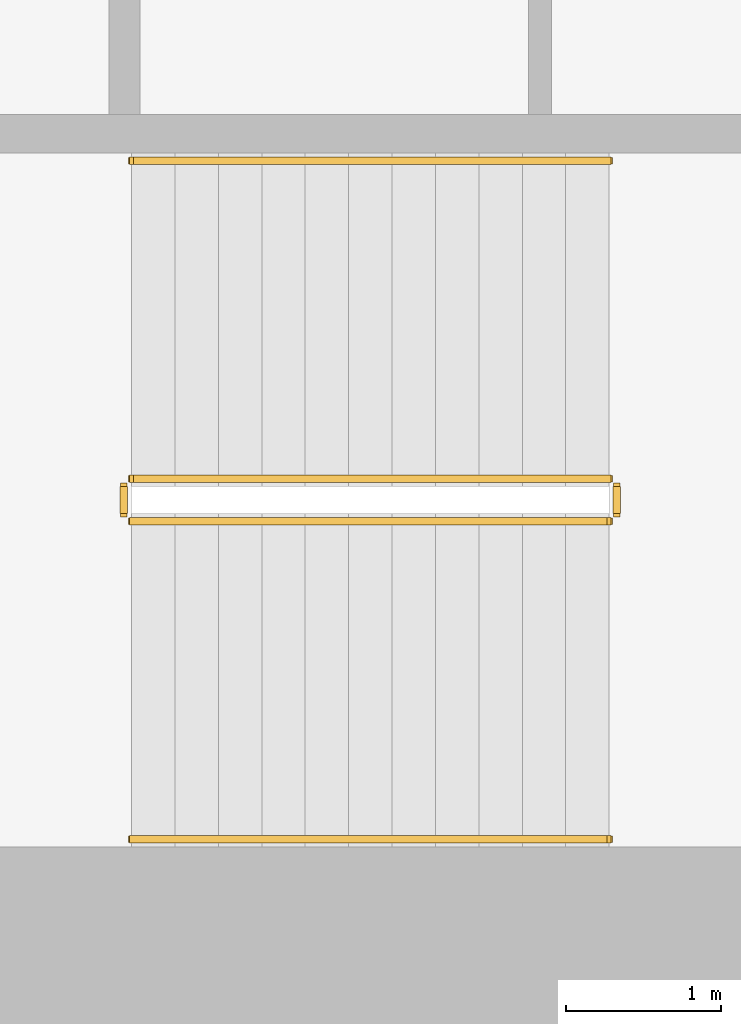
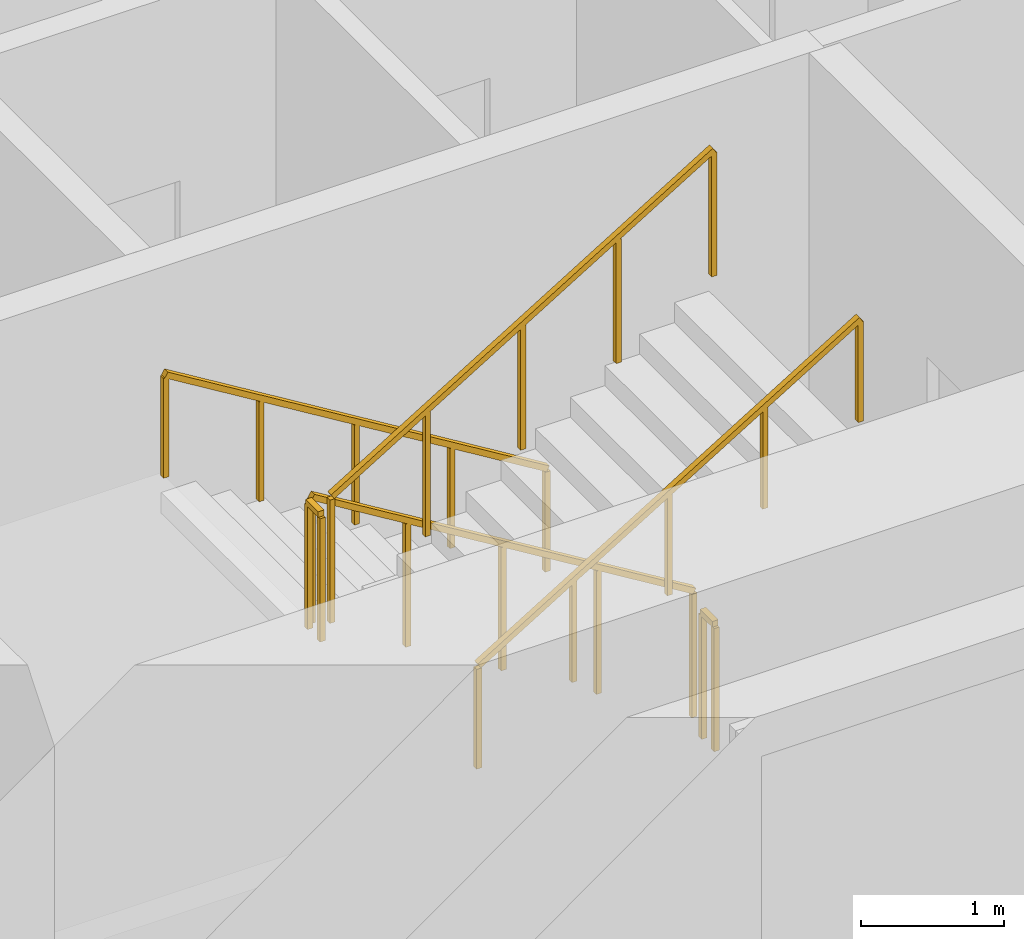
# One storey, part 9 of 13: 6 railings.
"""IFC4 building model written with IfcOpenShell, lengths in metres."""

from ifc_helpers import new_model, si_unit, direction, frame, origin, origin_2d, place, context, subcontext, project, spatial, rectangle, extrude, material, type_object, element, save


model = new_model("IFC4")

# Units and contexts
model_context = context("Model", 3, precision=1e-05, world=origin(), true_north=direction((0.0, 1.0)))
body_context = subcontext(model_context, "Body", "Model", "MODEL_VIEW")
ifc_project = project(units=[si_unit("LENGTHUNIT", "METRE"), si_unit("AREAUNIT", "SQUARE_METRE"), si_unit("VOLUMEUNIT", "CUBIC_METRE"), si_unit("PLANEANGLEUNIT", "RADIAN"), si_unit("MASSUNIT", "GRAM", prefix="KILO")], contexts=[model_context])

# Site, building, storey
site_placement = place(None, origin())
site = spatial("IfcSite", under=ifc_project, at=site_placement, CompositionType="ELEMENT")
building_placement = place(site_placement, origin())
building = spatial("IfcBuilding", under=site, at=building_placement, Name="Cypress Arch Tower", CompositionType="ELEMENT")
storey_placement = place(building_placement, frame((0.0, 0.0, 209.699951171875)))
storey = spatial("IfcBuildingStorey", under=building, at=storey_placement, Name="L46", CompositionType="ELEMENT", Elevation=209.699951171875)

# Railings
ifc_material_1 = material(Name="Black powder-coated steel square bar 48 mm", Category="steel")
railing_type_1 = type_object("IfcRailingType", Name="Stair handrail HR1", PredefinedType="HANDRAIL", material=ifc_material_1)
railing_1_placement = place(storey_placement, frame((-22.27490234375, -10.375, 0.1708984375)))
element("IfcRailing", 1, at=railing_1_placement, inside=storey, type_object=railing_type_1, Name="L46 A stair handrail 1", PredefinedType="HANDRAIL", context=body_context, shape_type="SweptSolid", body=[
    extrude(rectangle(XDim=0.048095703125, YDim=0.048095703125, at=origin_2d()), frame((0.0, 0.0, 0.8759765625), z_axis=(-0.853666305674, 0.0, 0.52082035152), x_axis=(0.0, -1.0, 0.0)), (0.0, 0.0, 1.0), 3.608154296875),
    extrude(rectangle(XDim=0.0419921875, YDim=0.0419921875, at=origin_2d()), origin(), (0.0, 0.0, 1.0), 0.851806640625),
    extrude(rectangle(XDim=0.0419921875, YDim=0.0419921875, at=origin_2d()), frame((-0.77001953125, 0.0, 0.4697265625)), (0.0, 0.0, 1.0), 0.851806640625),
    extrude(rectangle(XDim=0.0419921875, YDim=0.0419921875, at=origin_2d()), frame((-1.5400390625, 0.0, 0.939453125)), (0.0, 0.0, 1.0), 0.851806640625),
    extrude(rectangle(XDim=0.0419921875, YDim=0.0419921875, at=origin_2d()), frame((-2.31005859375, 0.0, 1.409423828125)), (0.0, 0.0, 1.0), 0.851806640625),
    extrude(rectangle(XDim=0.0419921875, YDim=0.0419921875, at=origin_2d()), frame((-3.080078125, 0.0, 1.879150390625)), (0.0, 0.0, 1.0), 0.851806640625),
])
railing_2_placement = place(storey_placement, frame((-25.35498046875, -14.75, 2.220947265625)))
element("IfcRailing", 2, at=railing_2_placement, inside=storey, type_object=railing_type_1, Name="L46 A stair handrail 2", PredefinedType="HANDRAIL", context=body_context, shape_type="SweptSolid", body=[
    extrude(rectangle(XDim=0.048095703125, YDim=0.048095703125, at=origin_2d()), frame((0.0, 0.0, 0.8759765625), z_axis=(0.853666305674, 0.0, 0.52082035152), x_axis=(0.0, 1.0, 0.0)), (0.0, 0.0, 1.0), 3.608154296875),
    extrude(rectangle(XDim=0.0419921875, YDim=0.0419921875, at=origin_2d()), origin(), (0.0, 0.0, 1.0), 0.851806640625),
    extrude(rectangle(XDim=0.0419921875, YDim=0.0419921875, at=origin_2d()), frame((0.77001953125, 0.0, 0.4697265625)), (0.0, 0.0, 1.0), 0.851806640625),
    extrude(rectangle(XDim=0.0419921875, YDim=0.0419921875, at=origin_2d()), frame((1.5400390625, 0.0, 0.939453125)), (0.0, 0.0, 1.0), 0.851806640625),
    extrude(rectangle(XDim=0.0419921875, YDim=0.0419921875, at=origin_2d()), frame((2.31005859375, 0.0, 1.409423828125)), (0.0, 0.0, 1.0), 0.851806640625),
    extrude(rectangle(XDim=0.0419921875, YDim=0.0419921875, at=origin_2d()), frame((3.080078125, 0.0, 1.879150390625)), (0.0, 0.0, 1.0), 0.851806640625),
])
ifc_material_2 = material(Name="Black powder-coated steel balusters", Category="steel")
railing_type_2 = type_object("IfcRailingType", Name="Stair well guard G1", PredefinedType="GUARDRAIL", material=ifc_material_2)
railing_3_placement = place(storey_placement, frame((-22.27490234375, -12.425048828125, 0.1708984375)))
element("IfcRailing", 3, at=railing_3_placement, inside=storey, type_object=railing_type_2, Name="L46 A stair guard 1", PredefinedType="GUARDRAIL", context=body_context, shape_type="SweptSolid", body=[
    extrude(rectangle(XDim=0.048095703125, YDim=0.048095703125, at=origin_2d()), frame((0.0, 0.0, 1.076171875), z_axis=(-0.853666305674, 0.0, 0.52082035152), x_axis=(0.0, -1.0, 0.0)), (0.0, 0.0, 1.0), 3.608154296875),
    extrude(rectangle(XDim=0.0419921875, YDim=0.0419921875, at=origin_2d()), origin(), (0.0, 0.0, 1.0), 1.052001953125),
    extrude(rectangle(XDim=0.0419921875, YDim=0.0419921875, at=origin_2d()), frame((-0.77001953125, 0.0, 0.4697265625)), (0.0, 0.0, 1.0), 1.052001953125),
    extrude(rectangle(XDim=0.0419921875, YDim=0.0419921875, at=origin_2d()), frame((-1.5400390625, 0.0, 0.939453125)), (0.0, 0.0, 1.0), 1.052001953125),
    extrude(rectangle(XDim=0.0419921875, YDim=0.0419921875, at=origin_2d()), frame((-2.31005859375, 0.0, 1.409423828125)), (0.0, 0.0, 1.0), 1.052001953125),
    extrude(rectangle(XDim=0.0419921875, YDim=0.0419921875, at=origin_2d()), frame((-3.080078125, 0.0, 1.879150390625)), (0.0, 0.0, 1.0), 1.052001953125),
])
railing_4_placement = place(storey_placement, frame((-25.405029296875, -12.47509765625, 2.050048828125)))
element("IfcRailing", 4, at=railing_4_placement, inside=storey, type_object=railing_type_2, Name="L46 A stair guard 2", PredefinedType="GUARDRAIL", context=body_context, shape_type="SweptSolid", body=[
    extrude(rectangle(XDim=0.048095703125, YDim=0.048095703125, at=origin_2d()), frame((0.0, 0.0, 1.076171875), z_axis=(0.0, -1.0, 0.0), x_axis=(1.0, 0.0, 0.0)), (0.0, 0.0, 1.0), 0.1748046875),
    extrude(rectangle(XDim=0.0419921875, YDim=0.0419921875, at=origin_2d()), origin(), (0.0, 0.0, 1.0), 1.052001953125),
    extrude(rectangle(XDim=0.0419921875, YDim=0.0419921875, at=origin_2d()), frame((0.0, -0.1748046875, 0.0)), (0.0, 0.0, 1.0), 1.052001953125),
])
railing_5_placement = place(storey_placement, frame((-25.35498046875, -12.699951171875, 2.220947265625)))
element("IfcRailing", 5, at=railing_5_placement, inside=storey, type_object=railing_type_2, Name="L46 A stair guard 3", PredefinedType="GUARDRAIL", context=body_context, shape_type="SweptSolid", body=[
    extrude(rectangle(XDim=0.048095703125, YDim=0.048095703125, at=origin_2d()), frame((0.0, 0.0, 1.076171875), z_axis=(0.853666305674, 0.0, 0.52082035152), x_axis=(0.0, 1.0, 0.0)), (0.0, 0.0, 1.0), 3.608154296875),
    extrude(rectangle(XDim=0.0419921875, YDim=0.0419921875, at=origin_2d()), origin(), (0.0, 0.0, 1.0), 1.052001953125),
    extrude(rectangle(XDim=0.0419921875, YDim=0.0419921875, at=origin_2d()), frame((0.77001953125, 0.0, 0.4697265625)), (0.0, 0.0, 1.0), 1.052001953125),
    extrude(rectangle(XDim=0.0419921875, YDim=0.0419921875, at=origin_2d()), frame((1.5400390625, 0.0, 0.939453125)), (0.0, 0.0, 1.0), 1.052001953125),
    extrude(rectangle(XDim=0.0419921875, YDim=0.0419921875, at=origin_2d()), frame((2.31005859375, 0.0, 1.409423828125)), (0.0, 0.0, 1.0), 1.052001953125),
    extrude(rectangle(XDim=0.0419921875, YDim=0.0419921875, at=origin_2d()), frame((3.080078125, 0.0, 1.879150390625)), (0.0, 0.0, 1.0), 1.052001953125),
])
railing_6_placement = place(storey_placement, frame((-22.22509765625, -12.47509765625, 0.0)))
element("IfcRailing", 6, at=railing_6_placement, inside=storey, type_object=railing_type_2, Name="L46 A stair guard 4", PredefinedType="GUARDRAIL", context=body_context, shape_type="SweptSolid", body=[
    extrude(rectangle(XDim=0.048095703125, YDim=0.048095703125, at=origin_2d()), frame((0.0, 0.0, 1.076171875), z_axis=(0.0, -1.0, 0.0), x_axis=(1.0, 0.0, 0.0)), (0.0, 0.0, 1.0), 0.1748046875),
    extrude(rectangle(XDim=0.0419921875, YDim=0.0419921875, at=origin_2d()), origin(), (0.0, 0.0, 1.0), 1.052001953125),
    extrude(rectangle(XDim=0.0419921875, YDim=0.0419921875, at=origin_2d()), frame((0.0, -0.1748046875, 0.0)), (0.0, 0.0, 1.0), 1.052001953125),
])

save(model, "model.ifc")
